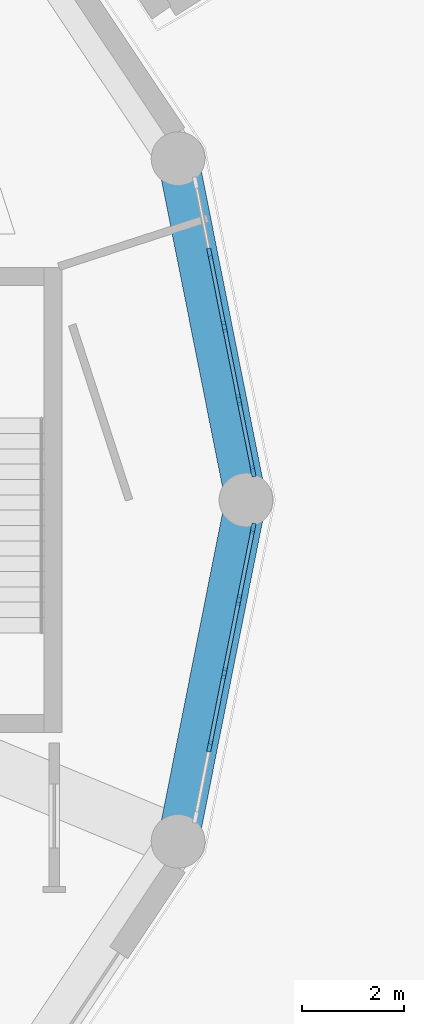
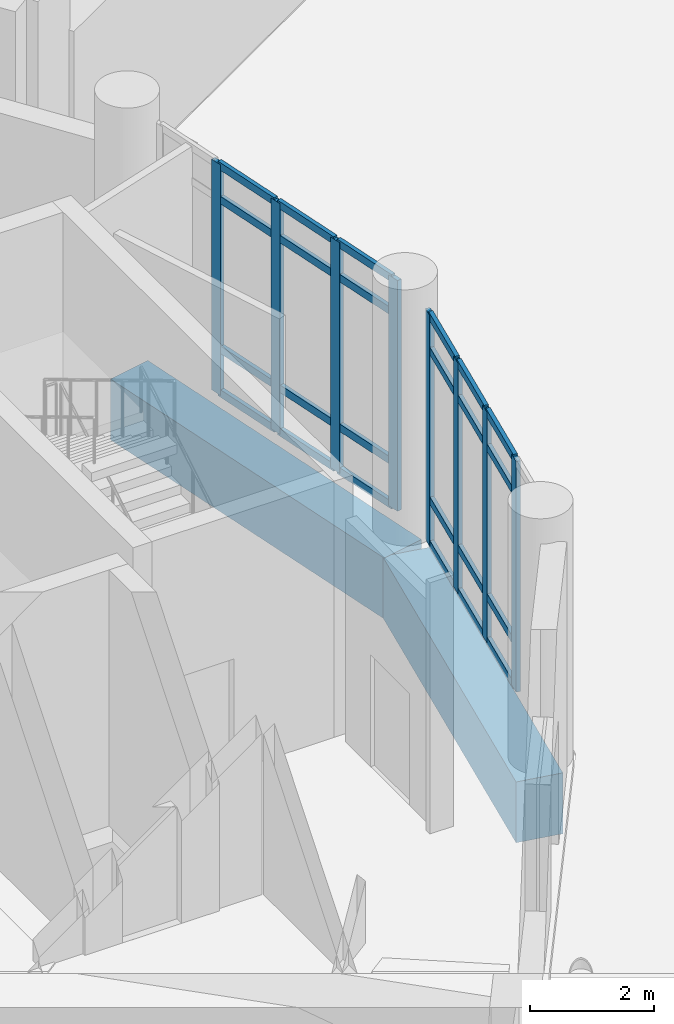
# One storey, part 18 of 74: 32 members, 2 beams, 2 elements without a shape of their own.
"""IFC4 building model written with IfcOpenShell, lengths in metres."""

from ifc_helpers import new_model, si_unit, direction, frame, origin, origin_2d, place, context, subcontext, project, spatial, rectangle, extrude, material, material_profile, profile_set, type_object, element, aggregate, save


model = new_model("IFC4")

# Units and contexts
model_context = context("Model", 3, precision=1e-05, world=origin(), true_north=direction((0.0, 1.0)))
body_context = subcontext(model_context, "Body", "Model", "MODEL_VIEW")
ifc_project = project(units=[si_unit("LENGTHUNIT", "METRE"), si_unit("AREAUNIT", "SQUARE_METRE"), si_unit("VOLUMEUNIT", "CUBIC_METRE"), si_unit("PLANEANGLEUNIT", "RADIAN"), si_unit("MASSUNIT", "GRAM", prefix="KILO")], contexts=[model_context])

# Site, building, storey
site_placement = place(None, origin())
site = spatial("IfcSite", under=ifc_project, at=site_placement, CompositionType="ELEMENT")
building_placement = place(site_placement, origin())
building = spatial("IfcBuilding", under=site, at=building_placement, Name="Soyqirgoq Riverine Aquarium", CompositionType="ELEMENT")
storey_placement = place(building_placement, origin())
storey = spatial("IfcBuildingStorey", under=building, at=storey_placement, Name="L01", CompositionType="ELEMENT", Elevation=0.0)

# Curtain wall, members
ifc_material_1 = material(Name="Anodised aluminium thermally broken triple low-E glazing", Category="aluminium")
curtain_wall_type = type_object("IfcCurtainWallType", Name="CW_DrumGallery_Unitised", PredefinedType="NOTDEFINED", material=ifc_material_1)
curtain_wall_1_placement = place(storey_placement, origin())
curtain_wall_1 = element("IfcCurtainWall", 1, at=curtain_wall_1_placement, inside=storey, type_object=curtain_wall_type, Name="V1 L01 Curtain Wall 001", PredefinedType="NOTDEFINED")
ifc_material_2 = material(Name="Anodised aluminium 6063-T6", Category="aluminium")
ifc_material_profile_1 = material_profile(ifc_material_2, rectangle(XDim=0.080078125, YDim=0.219970703125, at=origin_2d()), Name="ALU-M 80x220")
ifc_profile_set_1 = profile_set([ifc_material_profile_1], Name="Anodised aluminium 6063-T6")
member_type_1 = type_object("IfcMemberType", Name="CWMullion_80x220", PredefinedType="MULLION", material=ifc_profile_set_1)
member_1_placement = place(storey_placement, frame((73.587890625, 57.56396484375, 0.0), z_axis=(0.0, 0.0, 1.0), x_axis=(-0.980788371338, -0.195074782196, 0.0)))
member_1 = element("IfcMember", 2, at=member_1_placement, type_object=member_type_1, Name="CW-01 mullion 1", PredefinedType="MULLION", context=body_context, shape_type="SweptSolid", body=[
    extrude(rectangle(XDim=0.080078125, YDim=0.219970703125, at=origin_2d()), origin(), (0.0, 0.0, 1.0), 4.550048828125),
])
member_2_placement = place(storey_placement, frame((73.31103515625, 58.955810546875, 0.0), z_axis=(0.0, 0.0, 1.0), x_axis=(-0.980788371338, -0.195074782196, 0.0)))
member_2 = element("IfcMember", 3, at=member_2_placement, type_object=member_type_1, Name="CW-01 mullion 2", PredefinedType="MULLION", context=body_context, shape_type="SweptSolid", body=[
    extrude(rectangle(XDim=0.080078125, YDim=0.219970703125, at=origin_2d()), origin(), (0.0, 0.0, 1.0), 4.550048828125),
])
member_3_placement = place(storey_placement, frame((73.0263671875, 60.38671875, 0.0), z_axis=(0.0, 0.0, 1.0), x_axis=(-0.980788371338, -0.195074782196, 0.0)))
member_3 = element("IfcMember", 4, at=member_3_placement, type_object=member_type_1, Name="CW-01 mullion 3", PredefinedType="MULLION", context=body_context, shape_type="SweptSolid", body=[
    extrude(rectangle(XDim=0.080078125, YDim=0.219970703125, at=origin_2d()), origin(), (0.0, 0.0, 1.0), 4.550048828125),
])
member_4_placement = place(storey_placement, frame((72.74169921875, 61.81787109375, 0.0), z_axis=(0.0, 0.0, 1.0), x_axis=(-0.980788371338, -0.195074782196, 0.0)))
member_4 = element("IfcMember", 5, at=member_4_placement, type_object=member_type_1, Name="CW-01 mullion 4", PredefinedType="MULLION", context=body_context, shape_type="SweptSolid", body=[
    extrude(rectangle(XDim=0.080078125, YDim=0.219970703125, at=origin_2d()), origin(), (0.0, 0.0, 1.0), 4.550048828125),
])

curtain_wall_2_placement = place(storey_placement, origin())
curtain_wall_2 = element("IfcCurtainWall", 6, at=curtain_wall_2_placement, inside=storey, type_object=curtain_wall_type, Name="V1 L01 Curtain Wall 072", PredefinedType="NOTDEFINED")
member_5_placement = place(storey_placement, frame((72.74169921875, 52.18212890625, 0.0), z_axis=(0.0, 0.0, 1.0), x_axis=(-0.980788371338, 0.195074782196, 0.0)))
member_5 = element("IfcMember", 7, at=member_5_placement, type_object=member_type_1, Name="CW-01 mullion 2", PredefinedType="MULLION", context=body_context, shape_type="SweptSolid", body=[
    extrude(rectangle(XDim=0.080078125, YDim=0.219970703125, at=origin_2d()), origin(), (0.0, 0.0, 1.0), 4.550048828125),
])
member_6_placement = place(storey_placement, frame((73.0263671875, 53.61328125, 0.0), z_axis=(0.0, 0.0, 1.0), x_axis=(-0.980788371338, 0.195074782196, 0.0)))
member_6 = element("IfcMember", 8, at=member_6_placement, type_object=member_type_1, Name="CW-01 mullion 3", PredefinedType="MULLION", context=body_context, shape_type="SweptSolid", body=[
    extrude(rectangle(XDim=0.080078125, YDim=0.219970703125, at=origin_2d()), origin(), (0.0, 0.0, 1.0), 4.550048828125),
])
member_7_placement = place(storey_placement, frame((73.31103515625, 55.044189453125, 0.0), z_axis=(0.0, 0.0, 1.0), x_axis=(-0.980788371338, 0.195074782196, 0.0)))
member_7 = element("IfcMember", 9, at=member_7_placement, type_object=member_type_1, Name="CW-01 mullion 4", PredefinedType="MULLION", context=body_context, shape_type="SweptSolid", body=[
    extrude(rectangle(XDim=0.080078125, YDim=0.219970703125, at=origin_2d()), origin(), (0.0, 0.0, 1.0), 4.550048828125),
])
member_8_placement = place(storey_placement, frame((73.587890625, 56.43603515625, 0.0), z_axis=(0.0, 0.0, 1.0), x_axis=(-0.980788371338, 0.195074782196, 0.0)))
member_8 = element("IfcMember", 10, at=member_8_placement, type_object=member_type_1, Name="CW-01 mullion 5", PredefinedType="MULLION", context=body_context, shape_type="SweptSolid", body=[
    extrude(rectangle(XDim=0.080078125, YDim=0.219970703125, at=origin_2d()), origin(), (0.0, 0.0, 1.0), 4.550048828125),
])

# Member
ifc_material_3 = material(Name="Anodised aluminium 6063-T6", Category="aluminium")
ifc_material_profile_2 = material_profile(ifc_material_3, rectangle(XDim=0.074951171875, YDim=0.14990234375, at=origin_2d()), Name="ALU-T 75x150")
ifc_profile_set_2 = profile_set([ifc_material_profile_2], Name="Anodised aluminium 6063-T6")
member_type_2 = type_object("IfcMemberType", Name="CWTransom_75x150", PredefinedType="USERDEFINED", material=ifc_profile_set_2)
member_9_placement = place(storey_placement, frame((73.580078125, 57.603271484375, 0.03759765625), z_axis=(-0.19509915773, 0.980783522829, 0.0), x_axis=(-0.980783522829, -0.19509915773, 0.0)))
member_9 = element("IfcMember", 11, at=member_9_placement, type_object=member_type_2, Name="CW-01 transom 1.1", ObjectType="TRANSOM", PredefinedType="USERDEFINED", context=body_context, shape_type="SweptSolid", body=[
    extrude(rectangle(XDim=0.074951171875, YDim=0.14990234375, at=origin_2d()), origin(), (0.0, 0.0, 1.0), 1.3388671875),
])

member_10_placement = place(storey_placement, frame((73.580078125, 57.603271484375, 0.89990234375), z_axis=(-0.19509915773, 0.980783522829, 0.0), x_axis=(-0.980783522829, -0.19509915773, 0.0)))
member_10 = element("IfcMember", 12, at=member_10_placement, type_object=member_type_2, Name="CW-01 transom 1.2", ObjectType="TRANSOM", PredefinedType="USERDEFINED", context=body_context, shape_type="SweptSolid", body=[
    extrude(rectangle(XDim=0.074951171875, YDim=0.14990234375, at=origin_2d()), origin(), (0.0, 0.0, 1.0), 1.3388671875),
])

member_11_placement = place(storey_placement, frame((73.580078125, 57.603271484375, 3.85009765625), z_axis=(-0.19509915773, 0.980783522829, 0.0), x_axis=(-0.980783522829, -0.19509915773, 0.0)))
member_11 = element("IfcMember", 13, at=member_11_placement, type_object=member_type_2, Name="CW-01 transom 1.3", ObjectType="TRANSOM", PredefinedType="USERDEFINED", context=body_context, shape_type="SweptSolid", body=[
    extrude(rectangle(XDim=0.074951171875, YDim=0.14990234375, at=origin_2d()), origin(), (0.0, 0.0, 1.0), 1.3388671875),
])

member_12_placement = place(storey_placement, frame((73.580078125, 57.603271484375, 4.512451171875), z_axis=(-0.19509915773, 0.980783522829, 0.0), x_axis=(-0.980783522829, -0.19509915773, 0.0)))
member_12 = element("IfcMember", 14, at=member_12_placement, type_object=member_type_2, Name="CW-01 transom 1.4", ObjectType="TRANSOM", PredefinedType="USERDEFINED", context=body_context, shape_type="SweptSolid", body=[
    extrude(rectangle(XDim=0.074951171875, YDim=0.14990234375, at=origin_2d()), origin(), (0.0, 0.0, 1.0), 1.3388671875),
])

member_13_placement = place(storey_placement, frame((73.30322265625, 58.994873046875, 0.03759765625), z_axis=(-0.195094662032, 0.98078441711, 0.0), x_axis=(-0.98078441711, -0.195094662032, 0.0)))
member_13 = element("IfcMember", 15, at=member_13_placement, type_object=member_type_2, Name="CW-01 transom 2.1", ObjectType="TRANSOM", PredefinedType="USERDEFINED", context=body_context, shape_type="SweptSolid", body=[
    extrude(rectangle(XDim=0.074951171875, YDim=0.14990234375, at=origin_2d()), origin(), (0.0, 0.0, 1.0), 1.379150390625),
])

member_14_placement = place(storey_placement, frame((73.30322265625, 58.994873046875, 0.89990234375), z_axis=(-0.195094662032, 0.98078441711, 0.0), x_axis=(-0.98078441711, -0.195094662032, 0.0)))
member_14 = element("IfcMember", 16, at=member_14_placement, type_object=member_type_2, Name="CW-01 transom 2.2", ObjectType="TRANSOM", PredefinedType="USERDEFINED", context=body_context, shape_type="SweptSolid", body=[
    extrude(rectangle(XDim=0.074951171875, YDim=0.14990234375, at=origin_2d()), origin(), (0.0, 0.0, 1.0), 1.379150390625),
])

member_15_placement = place(storey_placement, frame((73.30322265625, 58.994873046875, 3.85009765625), z_axis=(-0.195094662032, 0.98078441711, 0.0), x_axis=(-0.98078441711, -0.195094662032, 0.0)))
member_15 = element("IfcMember", 17, at=member_15_placement, type_object=member_type_2, Name="CW-01 transom 2.3", ObjectType="TRANSOM", PredefinedType="USERDEFINED", context=body_context, shape_type="SweptSolid", body=[
    extrude(rectangle(XDim=0.074951171875, YDim=0.14990234375, at=origin_2d()), origin(), (0.0, 0.0, 1.0), 1.379150390625),
])

member_16_placement = place(storey_placement, frame((73.30322265625, 58.994873046875, 4.512451171875), z_axis=(-0.195094662032, 0.98078441711, 0.0), x_axis=(-0.98078441711, -0.195094662032, 0.0)))
member_16 = element("IfcMember", 18, at=member_16_placement, type_object=member_type_2, Name="CW-01 transom 2.4", ObjectType="TRANSOM", PredefinedType="USERDEFINED", context=body_context, shape_type="SweptSolid", body=[
    extrude(rectangle(XDim=0.074951171875, YDim=0.14990234375, at=origin_2d()), origin(), (0.0, 0.0, 1.0), 1.379150390625),
])

member_17_placement = place(storey_placement, frame((73.0185546875, 60.426025390625, 0.03759765625), z_axis=(-0.195094662032, 0.98078441711, 0.0), x_axis=(-0.98078441711, -0.195094662032, 0.0)))
member_17 = element("IfcMember", 19, at=member_17_placement, type_object=member_type_2, Name="CW-01 transom 3.1", ObjectType="TRANSOM", PredefinedType="USERDEFINED", context=body_context, shape_type="SweptSolid", body=[
    extrude(rectangle(XDim=0.074951171875, YDim=0.14990234375, at=origin_2d()), origin(), (0.0, 0.0, 1.0), 1.379150390625),
])

member_18_placement = place(storey_placement, frame((73.0185546875, 60.426025390625, 0.89990234375), z_axis=(-0.195094662032, 0.98078441711, 0.0), x_axis=(-0.98078441711, -0.195094662032, 0.0)))
member_18 = element("IfcMember", 20, at=member_18_placement, type_object=member_type_2, Name="CW-01 transom 3.2", ObjectType="TRANSOM", PredefinedType="USERDEFINED", context=body_context, shape_type="SweptSolid", body=[
    extrude(rectangle(XDim=0.074951171875, YDim=0.14990234375, at=origin_2d()), origin(), (0.0, 0.0, 1.0), 1.379150390625),
])

member_19_placement = place(storey_placement, frame((73.0185546875, 60.426025390625, 3.85009765625), z_axis=(-0.195094662032, 0.98078441711, 0.0), x_axis=(-0.98078441711, -0.195094662032, 0.0)))
member_19 = element("IfcMember", 21, at=member_19_placement, type_object=member_type_2, Name="CW-01 transom 3.3", ObjectType="TRANSOM", PredefinedType="USERDEFINED", context=body_context, shape_type="SweptSolid", body=[
    extrude(rectangle(XDim=0.074951171875, YDim=0.14990234375, at=origin_2d()), origin(), (0.0, 0.0, 1.0), 1.379150390625),
])

member_20_placement = place(storey_placement, frame((73.0185546875, 60.426025390625, 4.512451171875), z_axis=(-0.195094662032, 0.98078441711, 0.0), x_axis=(-0.98078441711, -0.195094662032, 0.0)))
member_20 = element("IfcMember", 22, at=member_20_placement, type_object=member_type_2, Name="CW-01 transom 3.4", ObjectType="TRANSOM", PredefinedType="USERDEFINED", context=body_context, shape_type="SweptSolid", body=[
    extrude(rectangle(XDim=0.074951171875, YDim=0.14990234375, at=origin_2d()), origin(), (0.0, 0.0, 1.0), 1.379150390625),
])

aggregate(curtain_wall_1, [member_1, member_2, member_3, member_4, member_9, member_10, member_11, member_12, member_13, member_14, member_15, member_16, member_17, member_18, member_19, member_20])

member_21_placement = place(storey_placement, frame((72.74951171875, 52.221435546875, 0.03759765625), z_axis=(0.195094662032, 0.98078441711, 0.0), x_axis=(-0.98078441711, 0.195094662032, 0.0)))
member_21 = element("IfcMember", 23, at=member_21_placement, type_object=member_type_2, Name="CW-01 transom 2.1", ObjectType="TRANSOM", PredefinedType="USERDEFINED", context=body_context, shape_type="SweptSolid", body=[
    extrude(rectangle(XDim=0.074951171875, YDim=0.14990234375, at=origin_2d()), origin(), (0.0, 0.0, 1.0), 1.379150390625),
])

member_22_placement = place(storey_placement, frame((72.74951171875, 52.221435546875, 0.89990234375), z_axis=(0.195094662032, 0.98078441711, 0.0), x_axis=(-0.98078441711, 0.195094662032, 0.0)))
member_22 = element("IfcMember", 24, at=member_22_placement, type_object=member_type_2, Name="CW-01 transom 2.2", ObjectType="TRANSOM", PredefinedType="USERDEFINED", context=body_context, shape_type="SweptSolid", body=[
    extrude(rectangle(XDim=0.074951171875, YDim=0.14990234375, at=origin_2d()), origin(), (0.0, 0.0, 1.0), 1.379150390625),
])

member_23_placement = place(storey_placement, frame((72.74951171875, 52.221435546875, 3.85009765625), z_axis=(0.195094662032, 0.98078441711, 0.0), x_axis=(-0.98078441711, 0.195094662032, 0.0)))
member_23 = element("IfcMember", 25, at=member_23_placement, type_object=member_type_2, Name="CW-01 transom 2.3", ObjectType="TRANSOM", PredefinedType="USERDEFINED", context=body_context, shape_type="SweptSolid", body=[
    extrude(rectangle(XDim=0.074951171875, YDim=0.14990234375, at=origin_2d()), origin(), (0.0, 0.0, 1.0), 1.379150390625),
])

member_24_placement = place(storey_placement, frame((72.74951171875, 52.221435546875, 4.512451171875), z_axis=(0.195094662032, 0.98078441711, 0.0), x_axis=(-0.98078441711, 0.195094662032, 0.0)))
member_24 = element("IfcMember", 26, at=member_24_placement, type_object=member_type_2, Name="CW-01 transom 2.4", ObjectType="TRANSOM", PredefinedType="USERDEFINED", context=body_context, shape_type="SweptSolid", body=[
    extrude(rectangle(XDim=0.074951171875, YDim=0.14990234375, at=origin_2d()), origin(), (0.0, 0.0, 1.0), 1.379150390625),
])

member_25_placement = place(storey_placement, frame((73.0341796875, 53.652587890625, 0.03759765625), z_axis=(0.195094662032, 0.98078441711, 0.0), x_axis=(-0.98078441711, 0.195094662032, 0.0)))
member_25 = element("IfcMember", 27, at=member_25_placement, type_object=member_type_2, Name="CW-01 transom 3.1", ObjectType="TRANSOM", PredefinedType="USERDEFINED", context=body_context, shape_type="SweptSolid", body=[
    extrude(rectangle(XDim=0.074951171875, YDim=0.14990234375, at=origin_2d()), origin(), (0.0, 0.0, 1.0), 1.379150390625),
])

member_26_placement = place(storey_placement, frame((73.0341796875, 53.652587890625, 0.89990234375), z_axis=(0.195094662032, 0.98078441711, 0.0), x_axis=(-0.98078441711, 0.195094662032, 0.0)))
member_26 = element("IfcMember", 28, at=member_26_placement, type_object=member_type_2, Name="CW-01 transom 3.2", ObjectType="TRANSOM", PredefinedType="USERDEFINED", context=body_context, shape_type="SweptSolid", body=[
    extrude(rectangle(XDim=0.074951171875, YDim=0.14990234375, at=origin_2d()), origin(), (0.0, 0.0, 1.0), 1.379150390625),
])

member_27_placement = place(storey_placement, frame((73.0341796875, 53.652587890625, 3.85009765625), z_axis=(0.195094662032, 0.98078441711, 0.0), x_axis=(-0.98078441711, 0.195094662032, 0.0)))
member_27 = element("IfcMember", 29, at=member_27_placement, type_object=member_type_2, Name="CW-01 transom 3.3", ObjectType="TRANSOM", PredefinedType="USERDEFINED", context=body_context, shape_type="SweptSolid", body=[
    extrude(rectangle(XDim=0.074951171875, YDim=0.14990234375, at=origin_2d()), origin(), (0.0, 0.0, 1.0), 1.379150390625),
])

member_28_placement = place(storey_placement, frame((73.0341796875, 53.652587890625, 4.512451171875), z_axis=(0.195094662032, 0.98078441711, 0.0), x_axis=(-0.98078441711, 0.195094662032, 0.0)))
member_28 = element("IfcMember", 30, at=member_28_placement, type_object=member_type_2, Name="CW-01 transom 3.4", ObjectType="TRANSOM", PredefinedType="USERDEFINED", context=body_context, shape_type="SweptSolid", body=[
    extrude(rectangle(XDim=0.074951171875, YDim=0.14990234375, at=origin_2d()), origin(), (0.0, 0.0, 1.0), 1.379150390625),
])

member_29_placement = place(storey_placement, frame((73.31884765625, 55.08349609375, 0.03759765625), z_axis=(0.19509915773, 0.980783522829, 0.0), x_axis=(-0.980783522829, 0.19509915773, 0.0)))
member_29 = element("IfcMember", 31, at=member_29_placement, type_object=member_type_2, Name="CW-01 transom 4.1", ObjectType="TRANSOM", PredefinedType="USERDEFINED", context=body_context, shape_type="SweptSolid", body=[
    extrude(rectangle(XDim=0.074951171875, YDim=0.14990234375, at=origin_2d()), origin(), (0.0, 0.0, 1.0), 1.3388671875),
])

member_30_placement = place(storey_placement, frame((73.31884765625, 55.08349609375, 0.89990234375), z_axis=(0.19509915773, 0.980783522829, 0.0), x_axis=(-0.980783522829, 0.19509915773, 0.0)))
member_30 = element("IfcMember", 32, at=member_30_placement, type_object=member_type_2, Name="CW-01 transom 4.2", ObjectType="TRANSOM", PredefinedType="USERDEFINED", context=body_context, shape_type="SweptSolid", body=[
    extrude(rectangle(XDim=0.074951171875, YDim=0.14990234375, at=origin_2d()), origin(), (0.0, 0.0, 1.0), 1.3388671875),
])

member_31_placement = place(storey_placement, frame((73.31884765625, 55.08349609375, 3.85009765625), z_axis=(0.19509915773, 0.980783522829, 0.0), x_axis=(-0.980783522829, 0.19509915773, 0.0)))
member_31 = element("IfcMember", 33, at=member_31_placement, type_object=member_type_2, Name="CW-01 transom 4.3", ObjectType="TRANSOM", PredefinedType="USERDEFINED", context=body_context, shape_type="SweptSolid", body=[
    extrude(rectangle(XDim=0.074951171875, YDim=0.14990234375, at=origin_2d()), origin(), (0.0, 0.0, 1.0), 1.3388671875),
])

member_32_placement = place(storey_placement, frame((73.31884765625, 55.08349609375, 4.512451171875), z_axis=(0.19509915773, 0.980783522829, 0.0), x_axis=(-0.980783522829, 0.19509915773, 0.0)))
member_32 = element("IfcMember", 34, at=member_32_placement, type_object=member_type_2, Name="CW-01 transom 4.4", ObjectType="TRANSOM", PredefinedType="USERDEFINED", context=body_context, shape_type="SweptSolid", body=[
    extrude(rectangle(XDim=0.074951171875, YDim=0.14990234375, at=origin_2d()), origin(), (0.0, 0.0, 1.0), 1.3388671875),
])

aggregate(curtain_wall_2, [member_5, member_6, member_7, member_8, member_21, member_22, member_23, member_24, member_25, member_26, member_27, member_28, member_29, member_30, member_31, member_32])

# Beams
ifc_material_4 = material(Name="Concrete C40/50", Category="concrete")
ifc_material_profile_3 = material_profile(ifc_material_4, rectangle(XDim=0.800048828125, YDim=1.199951171875, at=origin_2d()), Name="RC 800x1200")
ifc_profile_set_3 = profile_set([ifc_material_profile_3], Name="Concrete C40/50")
beam_type = type_object("IfcBeamType", Name="Girder_RC_800x1200", PredefinedType="BEAM", material=ifc_profile_set_3)
for number, where, z_axis, x_axis, name in (
    (35, (73.440185546875, 57.049072265625, -1.050048828125), (-0.195059263618, 0.980791457792, 0.0), (-0.980791457792, -0.195059263618, 0.0), "V1 L01 Drum Ring Girder 0001"),
    (36, (72.131591796875, 50.37109375, -1.050048828125), (0.195059263618, 0.980791457792, 0.0), (-0.980791457792, 0.195059263618, 0.0), "V1 L01 Drum Ring Girder 0028"),
):
    element("IfcBeam", number, at=place(storey_placement, frame(where, z_axis=z_axis, x_axis=x_axis)), inside=storey, type_object=beam_type, Name=name, PredefinedType="BEAM", context=body_context, shape_type="SweptSolid", body=[
        extrude(rectangle(XDim=0.800048828125, YDim=1.199951171875, at=origin_2d()), origin(), (0.0, 0.0, 1.0), 6.708740234375),
    ])

save(model, "model.ifc")
